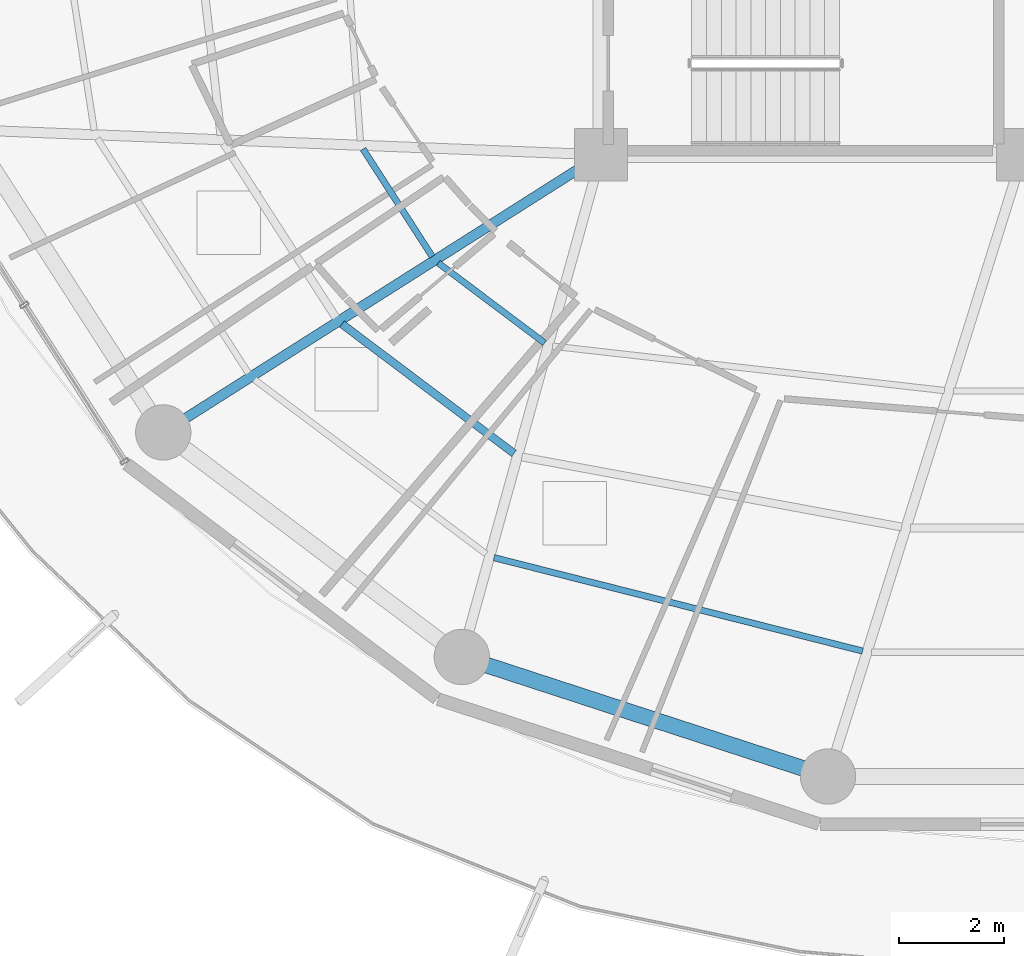
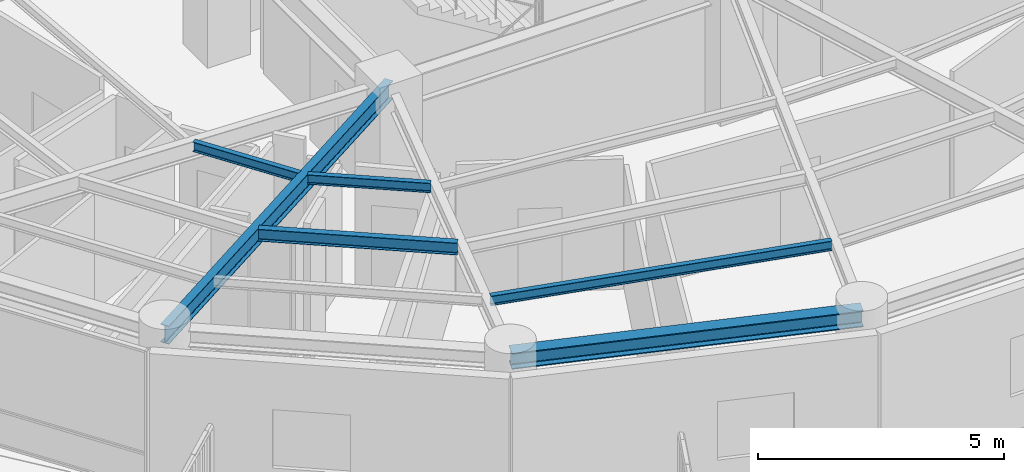
# One storey, part 3 of 31: 6 beams.
"""IFC4 building model written with IfcOpenShell, lengths in metres."""

from ifc_helpers import new_model, si_unit, direction, frame, origin, origin_2d, place, context, subcontext, project, spatial, i_section, extrude, material, material_profile, profile_set, type_object, element, save


model = new_model("IFC4")

# Units and contexts
model_context = context("Model", 3, precision=1e-05, world=origin(), true_north=direction((0.0, 1.0)))
body_context = subcontext(model_context, "Body", "Model", "MODEL_VIEW")
ifc_project = project(units=[si_unit("LENGTHUNIT", "METRE"), si_unit("AREAUNIT", "SQUARE_METRE"), si_unit("VOLUMEUNIT", "CUBIC_METRE"), si_unit("PLANEANGLEUNIT", "RADIAN"), si_unit("MASSUNIT", "GRAM", prefix="KILO")], contexts=[model_context])

# Site, building, storey
site_placement = place(None, origin())
site = spatial("IfcSite", under=ifc_project, at=site_placement, CompositionType="ELEMENT")
building_placement = place(site_placement, origin())
building = spatial("IfcBuilding", under=site, at=building_placement, Name="Kelanora Arch Commons", CompositionType="ELEMENT")
storey_placement = place(building_placement, frame((0.0, 0.0, 230.699951171875)))
storey = spatial("IfcBuildingStorey", under=building, at=storey_placement, Name="L59", CompositionType="ELEMENT", Elevation=230.699951171875)

# Beams
ifc_material = material(Name="Steel S355", Category="steel")
ifc_material_profile_1 = material_profile(ifc_material, i_section(OverallWidth=0.14990234375, OverallDepth=0.300048828125, WebThickness=0.007080078125, FlangeThickness=0.0107421875, FilletRadius=0.014892578125, at=origin_2d()), Name="IPE300")
ifc_profile_set_1 = profile_set([ifc_material_profile_1], Name="Steel S355")
beam_type_1 = type_object("IfcBeamType", Name="BM-JST-01", PredefinedType="JOIST", material=ifc_profile_set_1)
beam_1_placement = place(storey_placement, frame((61.087158203125, 47.790283203125, 3.340087890625), z_axis=(0.799101708656, -0.601195857624, 0.0), x_axis=(0.601195857624, 0.799101708656, 0.0)))
element("IfcBeam", 1, at=beam_1_placement, inside=storey, type_object=beam_type_1, Name="Secondary Chord Joist BJB-22 L59", PredefinedType="JOIST", context=body_context, shape_type="SweptSolid", body=[
    extrude(i_section(OverallWidth=0.14990234375, OverallDepth=0.300048828125, WebThickness=0.007080078125, FlangeThickness=0.0107421875, FilletRadius=0.014892578125, at=origin_2d()), origin(), (0.0, 0.0, 1.0), 4.080810546875),
])
ifc_material_profile_2 = material_profile(ifc_material, i_section(OverallWidth=0.1201171875, OverallDepth=0.239990234375, WebThickness=0.006103515625, FlangeThickness=0.009765625, FilletRadius=0.014892578125, at=origin_2d()), Name="IPE240")
ifc_profile_set_2 = profile_set([ifc_material_profile_2], Name="Steel S355")
beam_type_2 = type_object("IfcBeamType", Name="BM-JST-02", PredefinedType="JOIST", material=ifc_profile_set_2)
beam_2_placement = place(storey_placement, frame((61.4873046875, 51.10888671875, 3.3701171875), z_axis=(0.541332763503, -0.840808443796, 0.0), x_axis=(0.840808443796, 0.541332763503, 0.0)))
element("IfcBeam", 2, at=beam_2_placement, inside=storey, type_object=beam_type_2, Name="Secondary Chord Joist BJA-20 L59", PredefinedType="JOIST", context=body_context, shape_type="SweptSolid", body=[
    extrude(i_section(OverallWidth=0.1201171875, OverallDepth=0.239990234375, WebThickness=0.006103515625, FlangeThickness=0.009765625, FilletRadius=0.014892578125, at=origin_2d()), origin(), (0.0, 0.0, 1.0), 2.423583984375),
])
beam_3_placement = place(storey_placement, frame((62.913330078125, 48.948486328125, 3.3701171875), z_axis=(0.79911638933, -0.601176343766, 0.0), x_axis=(0.601176343766, 0.79911638933, 0.0)))
element("IfcBeam", 3, at=beam_3_placement, inside=storey, type_object=beam_type_2, Name="Secondary Chord Joist BJA-22 L59", PredefinedType="JOIST", context=body_context, shape_type="SweptSolid", body=[
    extrude(i_section(OverallWidth=0.1201171875, OverallDepth=0.239990234375, WebThickness=0.006103515625, FlangeThickness=0.009765625, FilletRadius=0.014892578125, at=origin_2d()), origin(), (0.0, 0.0, 1.0), 2.522216796875),
])
beam_4_placement = place(storey_placement, frame((63.970458984375, 43.360107421875, 3.3701171875), z_axis=(0.969370989998, -0.245601066263, 0.0), x_axis=(0.245601066263, 0.969370989998, 0.0)))
element("IfcBeam", 4, at=beam_4_placement, inside=storey, type_object=beam_type_2, Name="Secondary Chord Joist BJC-24 L59", PredefinedType="JOIST", context=body_context, shape_type="SweptSolid", body=[
    extrude(i_section(OverallWidth=0.1201171875, OverallDepth=0.239990234375, WebThickness=0.006103515625, FlangeThickness=0.009765625, FilletRadius=0.014892578125, at=origin_2d()), origin(), (0.0, 0.0, 1.0), 7.2119140625),
])
ifc_material_profile_3 = material_profile(ifc_material, i_section(OverallWidth=0.18994140625, OverallDepth=0.449951171875, WebThickness=0.009521484375, FlangeThickness=0.0146484375, FilletRadius=0.02099609375, at=origin_2d()), Name="IPE450")
ifc_profile_set_3 = profile_set([ifc_material_profile_3], Name="Steel S355")
beam_type_3 = type_object("IfcBeamType", Name="BM-RAD-Z4", PredefinedType="BEAM", material=ifc_profile_set_3)
beam_5_placement = place(storey_placement, frame((66.0, 51.0, 3.26513671875), z_axis=(-0.844507208607, -0.535544185489, 0.0), x_axis=(0.535544185489, -0.844507208607, 0.0)))
element("IfcBeam", 5, at=beam_5_placement, inside=storey, type_object=beam_type_3, Name="Radial Floor Girder BR-22 L59", PredefinedType="BEAM", context=body_context, shape_type="SweptSolid", body=[
    extrude(i_section(OverallWidth=0.18994140625, OverallDepth=0.449951171875, WebThickness=0.009521484375, FlangeThickness=0.0146484375, FilletRadius=0.02099609375, at=origin_2d()), origin(), (0.0, 0.0, 1.0), 9.830078125),
])
ifc_material_profile_4 = material_profile(ifc_material, i_section(OverallWidth=0.300048828125, OverallDepth=0.39990234375, WebThickness=0.013427734375, FlangeThickness=0.02392578125, FilletRadius=0.027099609375, at=origin_2d()), Name="HEB400")
ifc_profile_set_4 = profile_set([ifc_material_profile_4], Name="Steel S355")
beam_type_4 = type_object("IfcBeamType", Name="BM-SPN-Z4", PredefinedType="SPANDREL", material=ifc_profile_set_4)
beam_6_placement = place(storey_placement, frame((63.360107421875, 41.476318359375, 3.2900390625), z_axis=(0.950656361143, -0.310245842872, 0.0), x_axis=(0.310245842872, 0.950656361143, 0.0)))
element("IfcBeam", 6, at=beam_6_placement, inside=storey, type_object=beam_type_4, Name="Perimeter Spandrel Beam BS-24 L59", PredefinedType="SPANDREL", context=body_context, shape_type="SweptSolid", body=[
    extrude(i_section(OverallWidth=0.300048828125, OverallDepth=0.39990234375, WebThickness=0.013427734375, FlangeThickness=0.02392578125, FilletRadius=0.027099609375, at=origin_2d()), origin(), (0.0, 0.0, 1.0), 7.304931640625),
])

save(model, "model.ifc")
